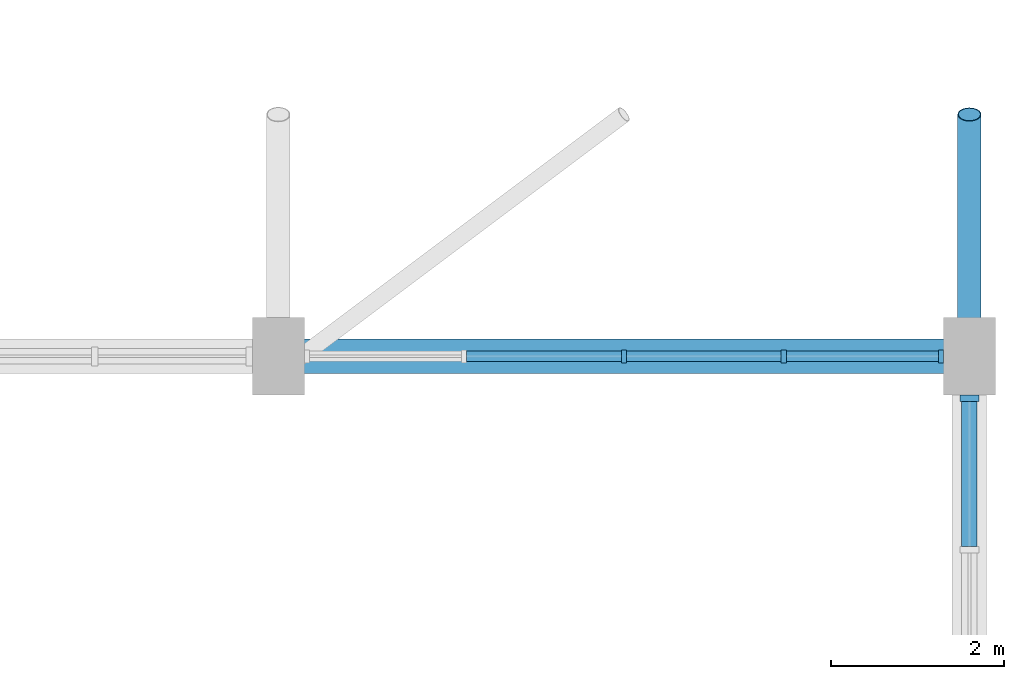
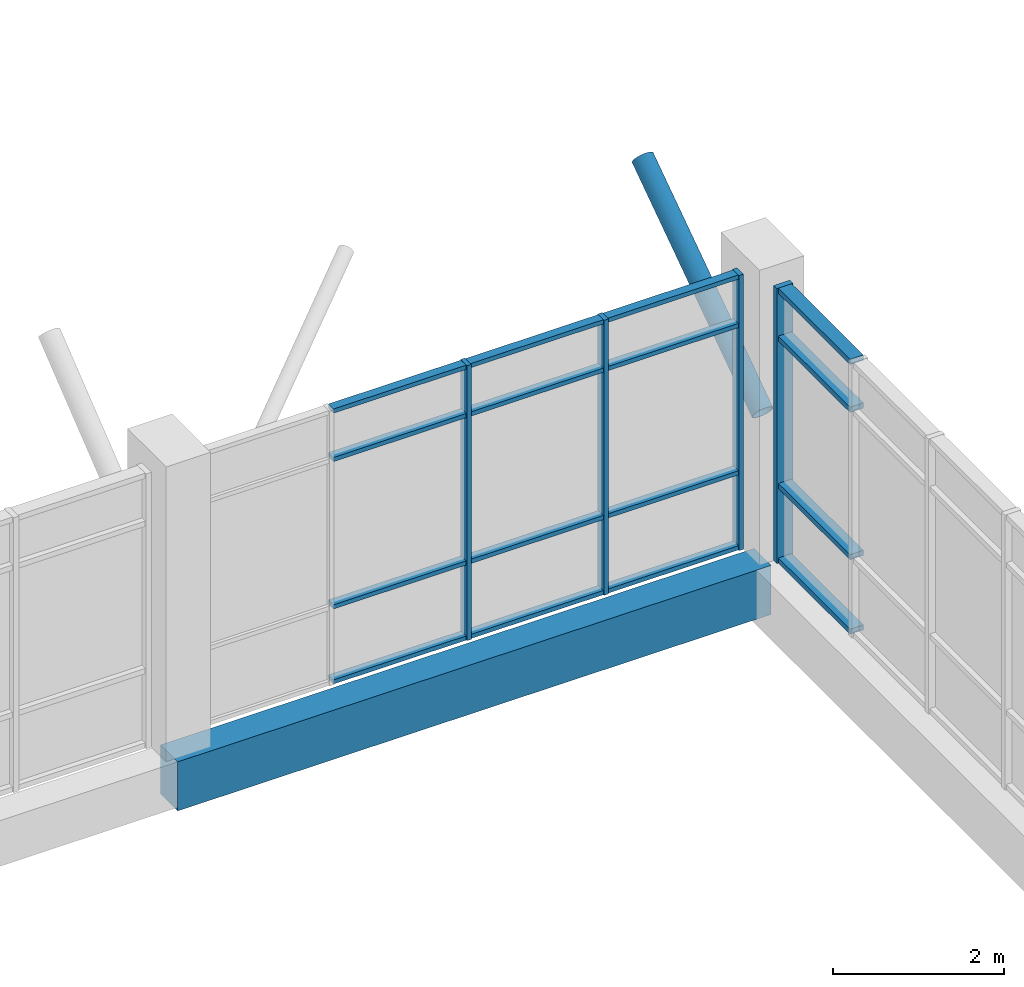
# One storey, part 46 of 84: 21 members, 1 beam, 2 elements without a shape of their own.
"""IFC4 building model written with IfcOpenShell, lengths in metres."""

from ifc_helpers import new_model, si_unit, direction, frame, origin, origin_2d, place, context, subcontext, project, spatial, rectangle, hollow_circle, extrude, material, material_profile, profile_set, type_object, element, aggregate, save


model = new_model("IFC4")

# Units and contexts
model_context = context("Model", 3, precision=1e-05, world=origin(), true_north=direction((0.0, 1.0)))
body_context = subcontext(model_context, "Body", "Model", "MODEL_VIEW")
ifc_project = project(units=[si_unit("LENGTHUNIT", "METRE"), si_unit("AREAUNIT", "SQUARE_METRE"), si_unit("VOLUMEUNIT", "CUBIC_METRE"), si_unit("PLANEANGLEUNIT", "RADIAN"), si_unit("MASSUNIT", "GRAM", prefix="KILO")], contexts=[model_context])

# Site, building, storey
site_placement = place(None, origin())
site = spatial("IfcSite", under=ifc_project, at=site_placement, CompositionType="ELEMENT")
building_placement = place(site_placement, origin())
building = spatial("IfcBuilding", under=site, at=building_placement, Name="Tenunan Teduh Sports Hall", CompositionType="ELEMENT")
storey_placement = place(building_placement, frame((0.0, 0.0, 10.800048828125)))
storey = spatial("IfcBuildingStorey", under=building, at=storey_placement, Name="L02", CompositionType="ELEMENT", Elevation=10.800048828125)

# Beam
ifc_material_1 = material(Name="Concrete C40/50", Category="concrete")
ifc_material_profile_1 = material_profile(ifc_material_1, rectangle(XDim=0.39990234375, YDim=0.699951171875, at=origin_2d()), Name="RCB 400x700")
ifc_profile_set_1 = profile_set([ifc_material_profile_1], Name="Concrete C40/50")
beam_type = type_object("IfcBeamType", Name="BM-RC-400x700", PredefinedType="BEAM", material=ifc_profile_set_1)
beam_placement = place(storey_placement, frame((162.0, 46.0, -0.610107421875), z_axis=(1.0, 0.0, 0.0), x_axis=(0.0, 1.0, 0.0)))
element("IfcBeam", 1, at=beam_placement, inside=storey, type_object=beam_type, Name="BM-B-08-L02-1475", PredefinedType="BEAM", context=body_context, shape_type="SweptSolid", body=[
    extrude(rectangle(XDim=0.39990234375, YDim=0.699951171875, at=origin_2d()), origin(), (0.0, 0.0, 1.0), 8.0),
])

# Curtain wall, members
ifc_material_2 = material(Name="Anodised aluminium", Category="aluminium")
curtain_wall_type_1 = type_object("IfcCurtainWallType", Name="CW-CLER-1", PredefinedType="NOTDEFINED", material=ifc_material_2)
curtain_wall_1_placement = place(storey_placement, origin())
curtain_wall_1 = element("IfcCurtainWall", 2, at=curtain_wall_1_placement, inside=storey, type_object=curtain_wall_type_1, Name="CW-CWM-150-L02-027", PredefinedType="NOTDEFINED")
ifc_material_3 = material(Name="Anodised aluminium", Category="aluminium")
ifc_material_profile_2 = material_profile(ifc_material_3, rectangle(XDim=0.06005859375, YDim=0.14990234375, at=origin_2d()), Name="CWM 60x150")
ifc_profile_set_2 = profile_set([ifc_material_profile_2], Name="Anodised aluminium")
member_type_1 = type_object("IfcMemberType", Name="CWM-150", PredefinedType="MULLION", material=ifc_profile_set_2)
member_1_placement = place(storey_placement, frame((166.0, 46.0, 0.0), z_axis=(0.0, 0.0, 1.0), x_axis=(1.0, 0.0, 0.0)))
member_1 = element("IfcMember", 3, at=member_1_placement, type_object=member_type_1, Name="CW-03 mullion 3", PredefinedType="MULLION", context=body_context, shape_type="SweptSolid", body=[
    extrude(rectangle(XDim=0.06005859375, YDim=0.14990234375, at=origin_2d()), origin(), (0.0, 0.0, 1.0), 3.919921875),
])
member_2_placement = place(storey_placement, frame((167.85009765625, 46.0, 0.0), z_axis=(0.0, 0.0, 1.0), x_axis=(1.0, 0.0, 0.0)))
member_2 = element("IfcMember", 4, at=member_2_placement, type_object=member_type_1, Name="CW-03 mullion 4", PredefinedType="MULLION", context=body_context, shape_type="SweptSolid", body=[
    extrude(rectangle(XDim=0.06005859375, YDim=0.14990234375, at=origin_2d()), origin(), (0.0, 0.0, 1.0), 3.919921875),
])
member_3_placement = place(storey_placement, frame((169.669921875, 46.0, 0.0), z_axis=(0.0, 0.0, 1.0), x_axis=(1.0, 0.0, 0.0)))
member_3 = element("IfcMember", 5, at=member_3_placement, type_object=member_type_1, Name="CW-03 mullion 5", PredefinedType="MULLION", context=body_context, shape_type="SweptSolid", body=[
    extrude(rectangle(XDim=0.06005859375, YDim=0.14990234375, at=origin_2d()), origin(), (0.0, 0.0, 1.0), 3.919921875),
])

# Curtain wall, member
ifc_material_4 = material(Name="Anodised aluminium", Category="aluminium")
curtain_wall_type_2 = type_object("IfcCurtainWallType", Name="CW-UNIT-2", PredefinedType="NOTDEFINED", material=ifc_material_4)
curtain_wall_2_placement = place(storey_placement, origin())
curtain_wall_2 = element("IfcCurtainWall", 6, at=curtain_wall_2_placement, inside=storey, type_object=curtain_wall_type_2, Name="CW-CWM-220-L02-033", PredefinedType="NOTDEFINED")
ifc_material_5 = material(Name="Anodised aluminium", Category="aluminium")
ifc_material_profile_3 = material_profile(ifc_material_5, rectangle(XDim=0.074951171875, YDim=0.219970703125, at=origin_2d()), Name="CWM 75x220")
ifc_profile_set_3 = profile_set([ifc_material_profile_3], Name="Anodised aluminium")
member_type_2 = type_object("IfcMemberType", Name="CWM-220", PredefinedType="MULLION", material=ifc_profile_set_3)
member_4_placement = place(storey_placement, frame((170.0, 45.512451171875, 0.0), z_axis=(0.0, 0.0, 1.0), x_axis=(0.0, 1.0, 0.0)))
member_4 = element("IfcMember", 7, at=member_4_placement, type_object=member_type_2, Name="CW-02 mullion 5", PredefinedType="MULLION", context=body_context, shape_type="SweptSolid", body=[
    extrude(rectangle(XDim=0.074951171875, YDim=0.219970703125, at=origin_2d()), origin(), (0.0, 0.0, 1.0), 3.919921875),
])

# Member
ifc_material_6 = material(Name="Anodised aluminium", Category="aluminium")
ifc_material_profile_4 = material_profile(ifc_material_6, rectangle(XDim=0.06005859375, YDim=0.1201171875, at=origin_2d()), Name="CWT 60x120")
ifc_profile_set_4 = profile_set([ifc_material_profile_4], Name="Anodised aluminium")
member_type_3 = type_object("IfcMemberType", Name="CWT-125", PredefinedType="USERDEFINED", material=ifc_profile_set_4)
member_5_placement = place(storey_placement, frame((164.179931640625, 46.0, 0.030029296875), z_axis=(1.0, 0.0, 0.0), x_axis=(0.0, 0.0, 1.0)))
member_5 = element("IfcMember", 8, at=member_5_placement, type_object=member_type_3, Name="CW-03 transom 2.1", ObjectType="TRANSOM", PredefinedType="USERDEFINED", context=body_context, shape_type="SweptSolid", body=[
    extrude(rectangle(XDim=0.06005859375, YDim=0.1201171875, at=origin_2d()), origin(), (0.0, 0.0, 1.0), 1.7900390625),
])

member_6_placement = place(storey_placement, frame((164.179931640625, 46.0, 1.099853515625), z_axis=(1.0, 0.0, 0.0), x_axis=(0.0, 0.0, 1.0)))
member_6 = element("IfcMember", 9, at=member_6_placement, type_object=member_type_3, Name="CW-03 transom 2.2", ObjectType="TRANSOM", PredefinedType="USERDEFINED", context=body_context, shape_type="SweptSolid", body=[
    extrude(rectangle(XDim=0.06005859375, YDim=0.1201171875, at=origin_2d()), origin(), (0.0, 0.0, 1.0), 1.7900390625),
])

member_7_placement = place(storey_placement, frame((164.179931640625, 46.0, 3.199951171875), z_axis=(1.0, 0.0, 0.0), x_axis=(0.0, 0.0, 1.0)))
member_7 = element("IfcMember", 10, at=member_7_placement, type_object=member_type_3, Name="CW-03 transom 2.3", ObjectType="TRANSOM", PredefinedType="USERDEFINED", context=body_context, shape_type="SweptSolid", body=[
    extrude(rectangle(XDim=0.06005859375, YDim=0.1201171875, at=origin_2d()), origin(), (0.0, 0.0, 1.0), 1.7900390625),
])

member_8_placement = place(storey_placement, frame((164.179931640625, 46.0, 3.889892578125), z_axis=(1.0, 0.0, 0.0), x_axis=(0.0, 0.0, 1.0)))
member_8 = element("IfcMember", 11, at=member_8_placement, type_object=member_type_3, Name="CW-03 transom 2.4", ObjectType="TRANSOM", PredefinedType="USERDEFINED", context=body_context, shape_type="SweptSolid", body=[
    extrude(rectangle(XDim=0.06005859375, YDim=0.1201171875, at=origin_2d()), origin(), (0.0, 0.0, 1.0), 1.7900390625),
])

member_9_placement = place(storey_placement, frame((166.030029296875, 46.0, 0.030029296875), z_axis=(1.0, 0.0, 0.0), x_axis=(0.0, 0.0, 1.0)))
member_9 = element("IfcMember", 12, at=member_9_placement, type_object=member_type_3, Name="CW-03 transom 3.1", ObjectType="TRANSOM", PredefinedType="USERDEFINED", context=body_context, shape_type="SweptSolid", body=[
    extrude(rectangle(XDim=0.06005859375, YDim=0.1201171875, at=origin_2d()), origin(), (0.0, 0.0, 1.0), 1.7900390625),
])

member_10_placement = place(storey_placement, frame((166.030029296875, 46.0, 1.099853515625), z_axis=(1.0, 0.0, 0.0), x_axis=(0.0, 0.0, 1.0)))
member_10 = element("IfcMember", 13, at=member_10_placement, type_object=member_type_3, Name="CW-03 transom 3.2", ObjectType="TRANSOM", PredefinedType="USERDEFINED", context=body_context, shape_type="SweptSolid", body=[
    extrude(rectangle(XDim=0.06005859375, YDim=0.1201171875, at=origin_2d()), origin(), (0.0, 0.0, 1.0), 1.7900390625),
])

member_11_placement = place(storey_placement, frame((166.030029296875, 46.0, 3.199951171875), z_axis=(1.0, 0.0, 0.0), x_axis=(0.0, 0.0, 1.0)))
member_11 = element("IfcMember", 14, at=member_11_placement, type_object=member_type_3, Name="CW-03 transom 3.3", ObjectType="TRANSOM", PredefinedType="USERDEFINED", context=body_context, shape_type="SweptSolid", body=[
    extrude(rectangle(XDim=0.06005859375, YDim=0.1201171875, at=origin_2d()), origin(), (0.0, 0.0, 1.0), 1.7900390625),
])

member_12_placement = place(storey_placement, frame((166.030029296875, 46.0, 3.889892578125), z_axis=(1.0, 0.0, 0.0), x_axis=(0.0, 0.0, 1.0)))
member_12 = element("IfcMember", 15, at=member_12_placement, type_object=member_type_3, Name="CW-03 transom 3.4", ObjectType="TRANSOM", PredefinedType="USERDEFINED", context=body_context, shape_type="SweptSolid", body=[
    extrude(rectangle(XDim=0.06005859375, YDim=0.1201171875, at=origin_2d()), origin(), (0.0, 0.0, 1.0), 1.7900390625),
])

member_13_placement = place(storey_placement, frame((167.8798828125, 46.0, 0.030029296875), z_axis=(1.0, 0.0, 0.0), x_axis=(0.0, 0.0, 1.0)))
member_13 = element("IfcMember", 16, at=member_13_placement, type_object=member_type_3, Name="CW-03 transom 4.1", ObjectType="TRANSOM", PredefinedType="USERDEFINED", context=body_context, shape_type="SweptSolid", body=[
    extrude(rectangle(XDim=0.06005859375, YDim=0.1201171875, at=origin_2d()), origin(), (0.0, 0.0, 1.0), 1.760009765625),
])

member_14_placement = place(storey_placement, frame((167.8798828125, 46.0, 1.099853515625), z_axis=(1.0, 0.0, 0.0), x_axis=(0.0, 0.0, 1.0)))
member_14 = element("IfcMember", 17, at=member_14_placement, type_object=member_type_3, Name="CW-03 transom 4.2", ObjectType="TRANSOM", PredefinedType="USERDEFINED", context=body_context, shape_type="SweptSolid", body=[
    extrude(rectangle(XDim=0.06005859375, YDim=0.1201171875, at=origin_2d()), origin(), (0.0, 0.0, 1.0), 1.760009765625),
])

member_15_placement = place(storey_placement, frame((167.8798828125, 46.0, 3.199951171875), z_axis=(1.0, 0.0, 0.0), x_axis=(0.0, 0.0, 1.0)))
member_15 = element("IfcMember", 18, at=member_15_placement, type_object=member_type_3, Name="CW-03 transom 4.3", ObjectType="TRANSOM", PredefinedType="USERDEFINED", context=body_context, shape_type="SweptSolid", body=[
    extrude(rectangle(XDim=0.06005859375, YDim=0.1201171875, at=origin_2d()), origin(), (0.0, 0.0, 1.0), 1.760009765625),
])

member_16_placement = place(storey_placement, frame((167.8798828125, 46.0, 3.889892578125), z_axis=(1.0, 0.0, 0.0), x_axis=(0.0, 0.0, 1.0)))
member_16 = element("IfcMember", 19, at=member_16_placement, type_object=member_type_3, Name="CW-03 transom 4.4", ObjectType="TRANSOM", PredefinedType="USERDEFINED", context=body_context, shape_type="SweptSolid", body=[
    extrude(rectangle(XDim=0.06005859375, YDim=0.1201171875, at=origin_2d()), origin(), (0.0, 0.0, 1.0), 1.760009765625),
])

aggregate(curtain_wall_1, [member_1, member_2, member_3, member_5, member_6, member_7, member_8, member_9, member_10, member_11, member_12, member_13, member_14, member_15, member_16])

ifc_material_7 = material(Name="Anodised aluminium", Category="aluminium")
ifc_material_profile_5 = material_profile(ifc_material_7, rectangle(XDim=0.074951171875, YDim=0.179931640625, at=origin_2d()), Name="CWT 75x180")
ifc_profile_set_5 = profile_set([ifc_material_profile_5], Name="Anodised aluminium")
member_type_4 = type_object("IfcMemberType", Name="CWT-180", PredefinedType="USERDEFINED", material=ifc_profile_set_5)
member_17_placement = place(storey_placement, frame((170.0, 43.800048828125, 0.037353515625), z_axis=(0.0, 1.0, 0.0), x_axis=(0.0, 0.0, 1.0)))
member_17 = element("IfcMember", 20, at=member_17_placement, type_object=member_type_4, Name="CW-02 transom 4.1", ObjectType="TRANSOM", PredefinedType="USERDEFINED", context=body_context, shape_type="SweptSolid", body=[
    extrude(rectangle(XDim=0.074951171875, YDim=0.179931640625, at=origin_2d()), origin(), (0.0, 0.0, 1.0), 1.675048828125),
])

member_18_placement = place(storey_placement, frame((170.0, 43.800048828125, 1.099853515625), z_axis=(0.0, 1.0, 0.0), x_axis=(0.0, 0.0, 1.0)))
member_18 = element("IfcMember", 21, at=member_18_placement, type_object=member_type_4, Name="CW-02 transom 4.2", ObjectType="TRANSOM", PredefinedType="USERDEFINED", context=body_context, shape_type="SweptSolid", body=[
    extrude(rectangle(XDim=0.074951171875, YDim=0.179931640625, at=origin_2d()), origin(), (0.0, 0.0, 1.0), 1.675048828125),
])

member_19_placement = place(storey_placement, frame((170.0, 43.800048828125, 3.199951171875), z_axis=(0.0, 1.0, 0.0), x_axis=(0.0, 0.0, 1.0)))
member_19 = element("IfcMember", 22, at=member_19_placement, type_object=member_type_4, Name="CW-02 transom 4.3", ObjectType="TRANSOM", PredefinedType="USERDEFINED", context=body_context, shape_type="SweptSolid", body=[
    extrude(rectangle(XDim=0.074951171875, YDim=0.179931640625, at=origin_2d()), origin(), (0.0, 0.0, 1.0), 1.675048828125),
])

member_20_placement = place(storey_placement, frame((170.0, 43.800048828125, 3.882568359375), z_axis=(0.0, 1.0, 0.0), x_axis=(0.0, 0.0, 1.0)))
member_20 = element("IfcMember", 23, at=member_20_placement, type_object=member_type_4, Name="CW-02 transom 4.4", ObjectType="TRANSOM", PredefinedType="USERDEFINED", context=body_context, shape_type="SweptSolid", body=[
    extrude(rectangle(XDim=0.074951171875, YDim=0.179931640625, at=origin_2d()), origin(), (0.0, 0.0, 1.0), 1.675048828125),
])

aggregate(curtain_wall_2, [member_4, member_17, member_18, member_19, member_20])

ifc_material_8 = material(Name="Steel S355", Category="steel")
ifc_material_profile_6 = material_profile(ifc_material_8, hollow_circle(Radius=0.136474609375, WallThickness=0.010009765625, at=origin_2d()), Name="CHS 273.0x10.0")
ifc_profile_set_6 = profile_set([ifc_material_profile_6], Name="Steel S355")
member_type_5 = type_object("IfcMemberType", Name="MEM-ST-CHS273", PredefinedType="STRUT", material=ifc_profile_set_6)
member_21_placement = place(storey_placement, frame((170.0, 46.0, 1.800048828125), z_axis=(0.0, 0.822798653948, 0.568332979037), x_axis=(-1.0, 0.0, 0.0)))
element("IfcMember", 24, at=member_21_placement, inside=storey, type_object=member_type_5, Name="MEM-VS-04-L02-0091", PredefinedType="STRUT", context=body_context, shape_type="SweptSolid", body=[
    extrude(hollow_circle(Radius=0.136474609375, WallThickness=0.010009765625, at=origin_2d()), origin(), (0.0, 0.0, 1.0), 3.403076171875),
])

save(model, "model.ifc")
